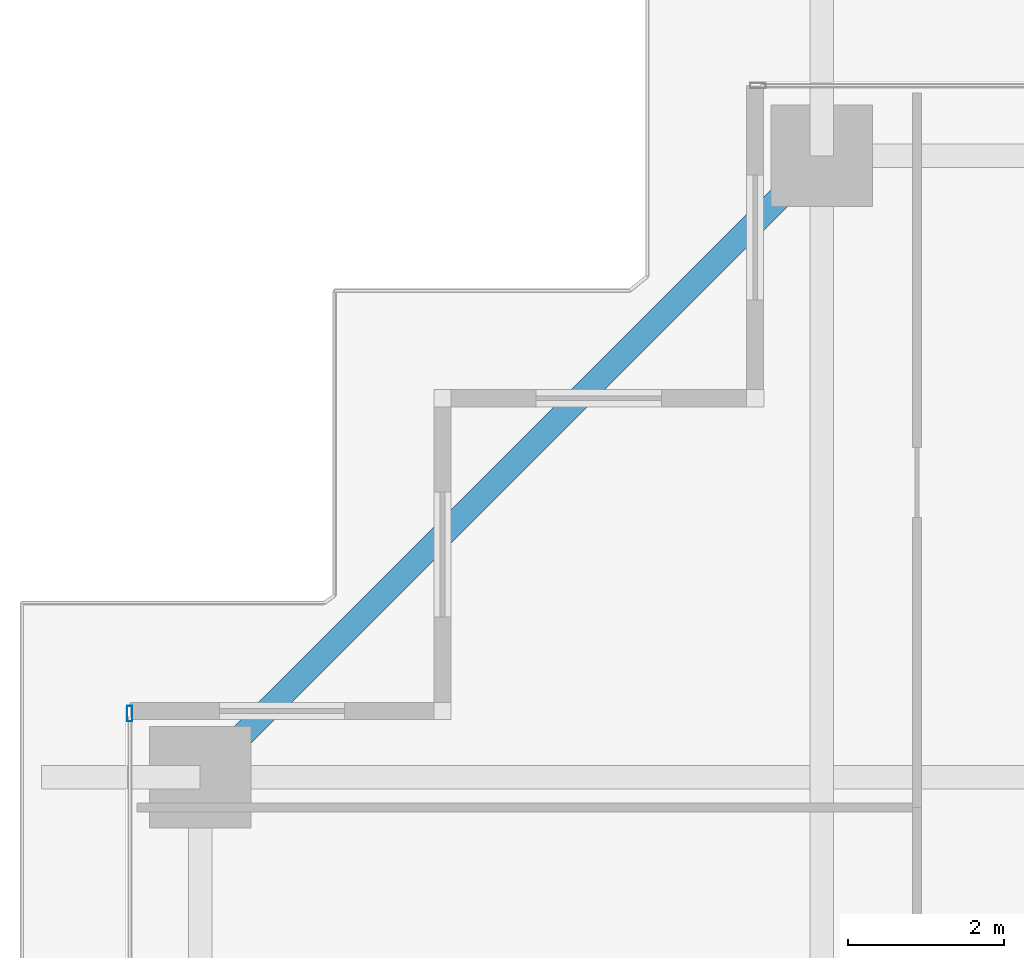
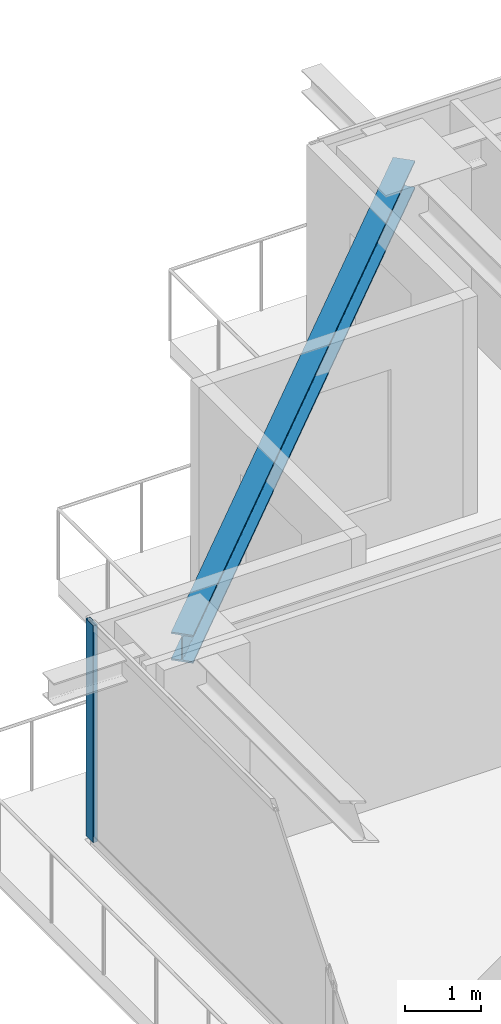
# One storey, part 18 of 36: 1 beam, 1 member, 1 element without a shape of its own.
"""IFC4 building model written with IfcOpenShell, lengths in metres."""

import ifcopenshell
import ifcopenshell.guid

model = None  # the IFC model being written
_history = None  # IfcOwnerHistory: only IFC2X3 demands one
_inside = {}  # id of a spatial element -> (the spatial element, [elements in it])
_under = {}  # id of a project, library or spatial element -> (it, [spatial elements below it])
_declared = {}  # id of a project -> (the project, [libraries it declares])
_typed = {}  # id of a type object -> (the type object, [elements of that type])
_made_of = {}  # id of a material, layer set ... -> (it, [elements and type objects made of it])


def new_model(schema):
    """Start an empty IFC model of exactly this schema.

    Asked for "IFC4X3", IfcOpenShell would pick the latest addendum, in which some entities
    have other attributes; the version numbers below select the first issue.
    IFC2X3 requires an IfcOwnerHistory on every rooted entity: one is made here for all.
    """
    global model, _history
    if schema == "IFC4X3":
        model = ifcopenshell.file(schema_version=(4, 3, 0, 0))
    else:
        model = ifcopenshell.file(schema=schema)
    _inside.clear()
    _under.clear()
    _declared.clear()
    _typed.clear()
    _made_of.clear()
    _history = None
    if model.schema == "IFC2X3":
        org = make("IfcOrganization", Name="unknown")
        user = make(
            "IfcPersonAndOrganization",
            ThePerson=make("IfcPerson", FamilyName="unknown"),
            TheOrganization=org,
        )
        app = make(
            "IfcApplication",
            ApplicationDeveloper=org,
            Version="unknown",
            ApplicationFullName="unknown",
            ApplicationIdentifier="unknown",
        )
        _history = make(
            "IfcOwnerHistory",
            OwningUser=user,
            OwningApplication=app,
            ChangeAction="ADDED",
            CreationDate=0,
        )
    return model


def make(cls, **values):
    """One entity of the class cls with the attributes given. An attribute that is None is left unset."""
    return model.create_entity(
        cls, **{name: value for name, value in values.items() if value is not None}
    )


def rooted(cls, **values):
    """An entity with a GlobalId (a new one), such as an element, a storey or a relation."""
    return make(cls, GlobalId=ifcopenshell.guid.new(), OwnerHistory=_history, **values)


def si_unit(unit_type, name, prefix=None):
    """IfcSIUnit, for example si_unit("LENGTHUNIT", "METRE", prefix="MILLI")."""
    return make("IfcSIUnit", UnitType=unit_type, Prefix=prefix, Name=name)


def assignment(units):
    """IfcUnitAssignment: the units of a project."""
    return None if units is None else make("IfcUnitAssignment", Units=units)


def point(xyz):
    """IfcCartesianPoint."""
    return None if xyz is None else make("IfcCartesianPoint", Coordinates=xyz)


def direction(xyz):
    """IfcDirection."""
    return None if xyz is None else make("IfcDirection", DirectionRatios=xyz)


def frame(location, z_axis=None, x_axis=None):
    """IfcAxis2Placement3D, a coordinate frame: its origin and axes. An axis left out is left unset."""
    return make(
        "IfcAxis2Placement3D",
        Location=point(location),
        Axis=direction(z_axis),
        RefDirection=direction(x_axis),
    )


def frame_2d(location, x_axis=None):
    """IfcAxis2Placement2D, a coordinate frame in the plane: its origin and x axis."""
    return make(
        "IfcAxis2Placement2D", Location=point(location), RefDirection=direction(x_axis)
    )


def origin():
    """The frame at (0, 0, 0) with its axes left unset."""
    return frame((0.0, 0.0, 0.0))


def origin_2d():
    """The frame at (0, 0) in the plane with its x axis left unset."""
    return frame_2d((0.0, 0.0))


def place(relative_to, where):
    """IfcLocalPlacement: puts the frame where relative to a parent placement (None: the world)."""
    return make(
        "IfcLocalPlacement", PlacementRelTo=relative_to, RelativePlacement=where
    )


def context(
    kind, dimensions, precision=None, world=None, true_north=None, identifier=None
):
    """IfcGeometricRepresentationContext, for example the 3D "Model" context."""
    return make(
        "IfcGeometricRepresentationContext",
        ContextIdentifier=identifier,
        ContextType=kind,
        CoordinateSpaceDimension=dimensions,
        Precision=precision,
        WorldCoordinateSystem=world,
        TrueNorth=true_north,
    )


def subcontext(parent, identifier, kind, view, scale=None):
    """IfcGeometricRepresentationSubContext, for example "Body" below "Model"."""
    return make(
        "IfcGeometricRepresentationSubContext",
        ContextIdentifier=identifier,
        ContextType=kind,
        ParentContext=parent,
        TargetScale=scale,
        TargetView=view,
    )


def project(units=None, contexts=None):
    """IfcProject with its units and contexts."""
    return rooted(
        "IfcProject",
        Name="project",
        RepresentationContexts=contexts,
        UnitsInContext=assignment(units),
    )


def spatial(cls, under=None, at=None, **own):
    """A site, building, storey or space (cls), placed at a placement, below another one or the project."""
    s = rooted(cls, ObjectPlacement=at, **own)
    if under is not None:
        _under.setdefault(under.id(), (under, []))[1].append(s)
    return s


def profile(cls, at=None, kind="AREA", **sizes):
    """A parametric profile (cls). Its sizes go by their IFC names, for example OverallWidth=200.0."""
    return make(cls, ProfileType=kind, Position=at, **sizes)


def hollow_rectangle(**sizes):
    """IfcRectangleHollowProfileDef."""
    return profile("IfcRectangleHollowProfileDef", **sizes)


def i_section(**sizes):
    """IfcIShapeProfileDef."""
    return profile("IfcIShapeProfileDef", **sizes)


def extrude(swept, where, along, depth):
    """IfcExtrudedAreaSolid: the profile swept, set in the frame where, extruded along a direction by depth."""
    return make(
        "IfcExtrudedAreaSolid",
        SweptArea=swept,
        Position=where,
        ExtrudedDirection=direction(along),
        Depth=depth,
    )


def shape(context_of_items, identifier, shape_type, items):
    """IfcShapeRepresentation: the items that make up one representation, for example the "Body"."""
    return make(
        "IfcShapeRepresentation",
        ContextOfItems=context_of_items,
        RepresentationIdentifier=identifier,
        RepresentationType=shape_type,
        Items=items,
    )


def source(mapping_origin, context_of_items, identifier, shape_type, items):
    """IfcRepresentationMap: a shape defined once, which mapped items show again and again."""
    return make(
        "IfcRepresentationMap",
        MappingOrigin=mapping_origin,
        MappedRepresentation=shape(context_of_items, identifier, shape_type, items),
    )


def transform(
    local_origin,
    x_axis=None,
    y_axis=None,
    z_axis=None,
    scale=None,
    scale2=None,
    scale3=None,
    uniform=True,
):
    """IfcCartesianTransformationOperator3D, or its non-uniform kind. x_axis, y_axis, z_axis: its Axis1, 2, 3."""
    if uniform:
        return make(
            "IfcCartesianTransformationOperator3D",
            Axis1=direction(x_axis),
            Axis2=direction(y_axis),
            LocalOrigin=point(local_origin),
            Scale=scale,
            Axis3=direction(z_axis),
        )
    return make(
        "IfcCartesianTransformationOperator3DnonUniform",
        Axis1=direction(x_axis),
        Axis2=direction(y_axis),
        LocalOrigin=point(local_origin),
        Scale=scale,
        Axis3=direction(z_axis),
        Scale2=scale2,
        Scale3=scale3,
    )


def mapped(mapping_source, mapping_target):
    """IfcMappedItem: shows the shape of a source again, moved by a transform."""
    return make(
        "IfcMappedItem", MappingSource=mapping_source, MappingTarget=mapping_target
    )


def material(Name=None, Category=None):
    """IfcMaterial."""
    return make("IfcMaterial", Name=Name, Category=Category)


def layer(
    of_material, thickness, ventilated=None, Name=None, Category=None, Priority=None
):
    """IfcMaterialLayer: one layer of a wall or slab, of a material (None: an air gap)."""
    return make(
        "IfcMaterialLayer",
        Material=of_material,
        LayerThickness=thickness,
        IsVentilated=ventilated,
        Name=Name,
        Category=Category,
        Priority=Priority,
    )


def layer_set(layers, Name=None):
    """IfcMaterialLayerSet."""
    return make("IfcMaterialLayerSet", MaterialLayers=layers, LayerSetName=Name)


def material_profile(
    of_material, cross_section, Name=None, Category=None, Priority=None
):
    """IfcMaterialProfile: a cross section and its material."""
    return make(
        "IfcMaterialProfile",
        Name=Name,
        Material=of_material,
        Profile=cross_section,
        Priority=Priority,
        Category=Category,
    )


def profile_set(profiles, Name=None, composite=None):
    """IfcMaterialProfileSet."""
    return make(
        "IfcMaterialProfileSet",
        Name=Name,
        MaterialProfiles=profiles,
        CompositeProfile=composite,
    )


def made_of(thing, what):
    """Note that an element or type object is made of a material, layer set ...; save() writes the relation."""
    if what is not None:
        _made_of.setdefault(what.id(), (what, []))[1].append(thing)
    return thing


def type_object(cls, material=None, **own):
    """A type object (cls), such as IfcWallType, which elements share."""
    return made_of(rooted(cls, **own), material)


def element(
    cls,
    number,
    at=None,
    inside=None,
    cuts=None,
    type_object=None,
    material=None,
    context=None,
    identifier="Body",
    shape_type=None,
    held_by="IfcProductDefinitionShape",
    body=None,
    shapes=None,
    **own,
):
    """One element of the class cls, such as IfcWall. Its Tag is "e" and its number.

    at: its placement. inside: the storey or other place that contains it. cuts: it is an
    opening in that element (IfcRelVoidsElement). A single representation is given by context,
    identifier, shape_type and body (its items); several are given by shapes. held_by: the class
    of the entity that holds the representations. save() writes the other relations.
    """
    e = rooted(cls, Tag="e%d" % number, ObjectPlacement=at, **own)
    if body is not None:
        shapes = [shape(context, identifier, shape_type, body)]
    if shapes is not None:
        e.Representation = make(held_by, Representations=shapes)
    if inside is not None:
        _inside.setdefault(inside.id(), (inside, []))[1].append(e)
    if cuts is not None:
        rooted(
            "IfcRelVoidsElement", RelatingBuildingElement=cuts, RelatedOpeningElement=e
        )
    if type_object is not None:
        _typed.setdefault(type_object.id(), (type_object, []))[1].append(e)
    return made_of(e, material)


def aggregate(whole, parts):
    """IfcRelAggregates: a whole, such as a stair, and the parts it consists of."""
    return rooted("IfcRelAggregates", RelatingObject=whole, RelatedObjects=parts)


def save(model, path):
    """Write the relations noted so far, then the file.

    IfcRelAggregates (storeys below a building ...), IfcRelContainedInSpatialStructure (elements
    in a storey), IfcRelDefinesByType, IfcRelAssociatesMaterial and IfcRelDeclares: one each for
    every whole, place, type object, material and project.
    """
    for whole, parts in _under.values():
        aggregate(whole, parts)
    for where, things in _inside.values():
        rooted(
            "IfcRelContainedInSpatialStructure",
            RelatedElements=things,
            RelatingStructure=where,
        )
    for kind, things in _typed.values():
        rooted("IfcRelDefinesByType", RelatedObjects=things, RelatingType=kind)
    for what, things in _made_of.values():
        rooted("IfcRelAssociatesMaterial", RelatedObjects=things, RelatingMaterial=what)
    for by, libraries in _declared.values():
        rooted("IfcRelDeclares", RelatingContext=by, RelatedDefinitions=libraries)
    model.write(path)


model = new_model("IFC4")

# Units and contexts
model_context = context("Model", 3, precision=1e-05, world=origin(), true_north=direction((0.0, 1.0)))
body_context = subcontext(model_context, "Body", "Model", "MODEL_VIEW")
ifc_project = project(units=[si_unit("LENGTHUNIT", "METRE"), si_unit("AREAUNIT", "SQUARE_METRE"), si_unit("VOLUMEUNIT", "CUBIC_METRE"), si_unit("PLANEANGLEUNIT", "RADIAN"), si_unit("MASSUNIT", "GRAM", prefix="KILO")], contexts=[model_context])

# Site, building, storey
site_placement = place(None, origin())
site = spatial("IfcSite", under=ifc_project, at=site_placement, CompositionType="ELEMENT")
building_placement = place(site_placement, origin())
building = spatial("IfcBuilding", under=site, at=building_placement, Name="Serunith Strait Residences", CompositionType="ELEMENT")
storey_placement = place(building_placement, frame((0.0, 0.0, 131.39990234375)))
storey = spatial("IfcBuildingStorey", under=building, at=storey_placement, Name="L32", CompositionType="ELEMENT", Elevation=131.39990234375)

# Beam
ifc_material_1 = material(Name="Steel S355J2", Category="steel")
ifc_material_profile_1 = material_profile(ifc_material_1, i_section(OverallWidth=0.300048828125, OverallDepth=0.449951171875, WebThickness=0.013916015625, FlangeThickness=0.02587890625, FilletRadius=0.027099609375, at=origin_2d()), Name="HEB 450")
ifc_profile_set_1 = profile_set([ifc_material_profile_1], Name="Steel S355J2")
beam_type = type_object("IfcBeamType", Name="BM-HEB450", PredefinedType="BEAM", material=ifc_profile_set_1)
shared_shape_1 = source(origin(), body_context, "Body", "SweptSolid", [
    extrude(i_section(OverallWidth=0.300048828125, OverallDepth=0.449951171875, WebThickness=0.013916015625, FlangeThickness=0.02587890625, FilletRadius=0.027099609375, at=origin_2d()), origin(), (0.0, 0.0, 1.0), 11.2431640625),
])
beam_placement = place(storey_placement, frame((16.64990234375, 48.10009765625, 3.232177734375), z_axis=(-0.707095923751, -0.707117638455, 0.0), x_axis=(0.707117638455, -0.707095923751, 0.0)))
element("IfcBeam", 1, at=beam_placement, inside=storey, type_object=beam_type, Name="L32 Perimeter Ring Beam 12", PredefinedType="BEAM", context=body_context, shape_type="MappedRepresentation", body=[
    mapped(shared_shape_1, transform((0.0, 0.0, 0.0), scale=1.0)),
])

# Curtain wall, member
ifc_material_2 = material(Name="Pale-Champagne Anodised Aluminium", Category="aluminium")
ifc_layer = layer(ifc_material_2, 0.199951171875, Name="Pale-Champagne Anodised Aluminium")
ifc_layer_set = layer_set([ifc_layer], Name="Pale-Champagne Anodised Aluminium")
curtain_wall_type = type_object("IfcCurtainWallType", Name="CW-SYS2", PredefinedType="NOTDEFINED", material=ifc_layer_set)
curtain_wall_placement = place(storey_placement, origin())
curtain_wall = element("IfcCurtainWall", 2, at=curtain_wall_placement, inside=storey, type_object=curtain_wall_type, Name="L32 W Unitised Fritted Curtain Wall", PredefinedType="NOTDEFINED")
ifc_material_profile_2 = material_profile(ifc_material_2, hollow_rectangle(XDim=0.070068359375, YDim=0.199951171875, WallThickness=0.00390625, InnerFilletRadius=0.006103515625, OuterFilletRadius=0.010009765625, at=origin_2d()), Name="ALU 200x70x4")
ifc_profile_set_2 = profile_set([ifc_material_profile_2], Name="Pale-Champagne Anodised Aluminium")
member_type = type_object("IfcMemberType", Name="CW-SYS2-MULL", PredefinedType="MULLION", material=ifc_profile_set_2)
shared_shape_2 = source(origin(), body_context, "Body", "SweptSolid", [
    extrude(hollow_rectangle(XDim=0.070068359375, YDim=0.199951171875, WallThickness=0.00390625, InnerFilletRadius=0.006103515625, OuterFilletRadius=0.010009765625, at=origin_2d()), origin(), (0.0, 0.0, 1.0), 3.47509765625),
])
member_placement = place(storey_placement, frame((7.800048828125, 40.965087890625, 0.0), z_axis=(0.0, 0.0, 1.0), x_axis=(1.0, 0.0, 0.0)))
member = element("IfcMember", 3, at=member_placement, type_object=member_type, Name="CW-2 mullion 1", PredefinedType="MULLION", context=body_context, shape_type="MappedRepresentation", body=[
    mapped(shared_shape_2, transform((0.0, 0.0, 0.0), scale=1.0)),
])
aggregate(curtain_wall, [member])

save(model, "model.ifc")
